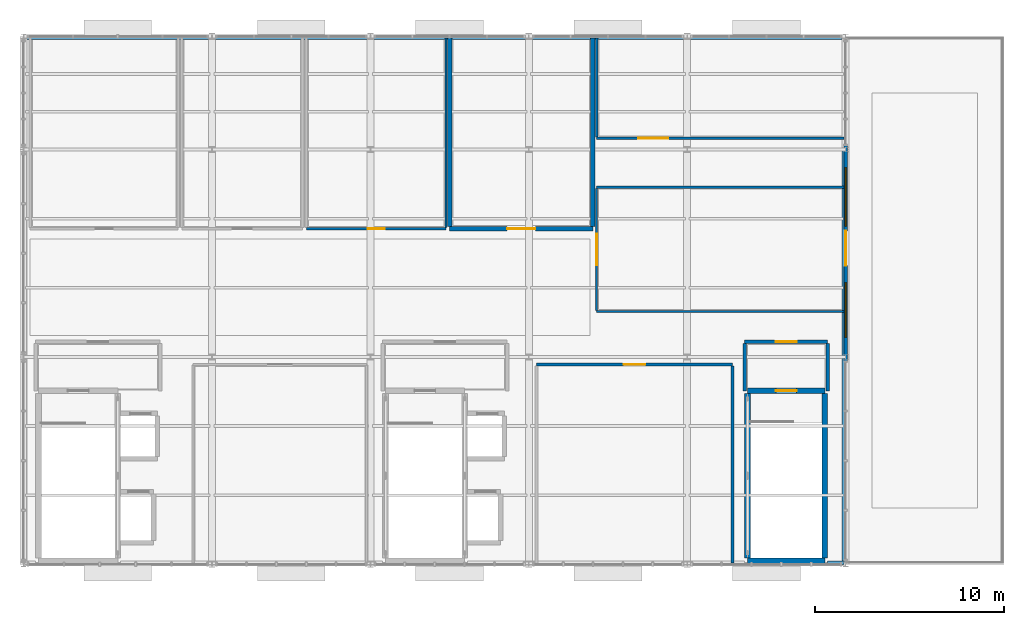
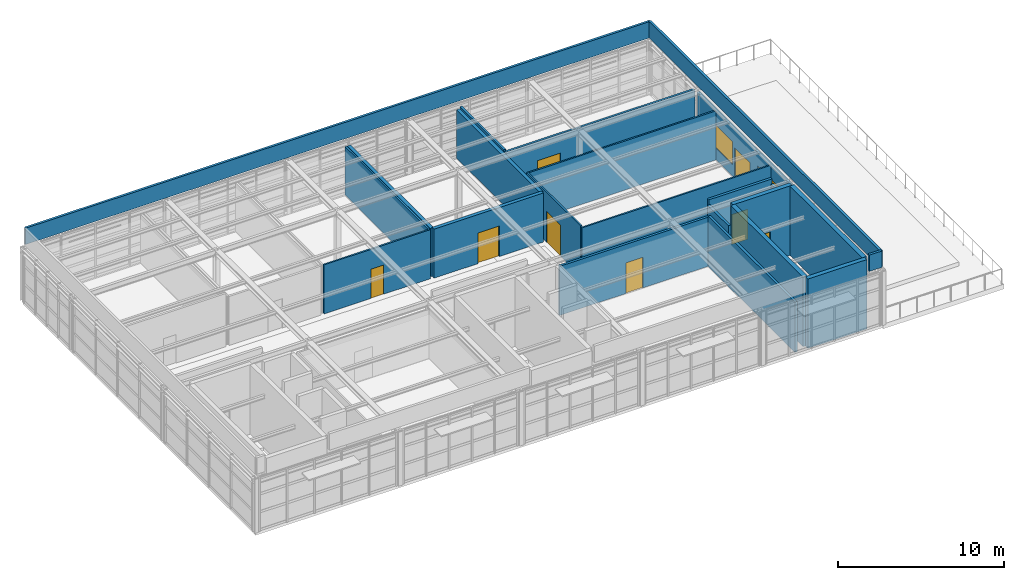
# One storey, part 17 of 18: 23 walls, 8 doors, 2 windows, 10 openings.
"""IFC4 building model written with IfcOpenShell, lengths in metres."""

from ifc_helpers import new_model, si_unit, direction, frame, frame_2d, origin, place, context, subcontext, project, spatial, rectangle, extrude, material, layer, layer_set, type_object, element, fill, save


model = new_model("IFC4")

# Units and contexts
model_context = context("Model", 3, precision=1e-05, world=origin(), true_north=direction((0.0, 1.0)))
body_context = subcontext(model_context, "Body", "Model", "MODEL_VIEW")
ifc_project = project(units=[si_unit("LENGTHUNIT", "METRE"), si_unit("AREAUNIT", "SQUARE_METRE"), si_unit("VOLUMEUNIT", "CUBIC_METRE"), si_unit("PLANEANGLEUNIT", "RADIAN"), si_unit("MASSUNIT", "GRAM", prefix="KILO")], contexts=[model_context])

# Site, building, storey
site_placement = place(None, origin())
site = spatial("IfcSite", under=ifc_project, at=site_placement, CompositionType="ELEMENT")
building_placement = place(site_placement, origin())
building = spatial("IfcBuilding", under=site, at=building_placement, Name="Sitalva Quay Ferry Terminal", CompositionType="ELEMENT")
storey_placement = place(building_placement, frame((0.0, 0.0, 18.60009765625)))
storey = spatial("IfcBuildingStorey", under=building, at=storey_placement, Name="L05", CompositionType="ELEMENT", Elevation=18.60009765625)

# Wall
ifc_material_1 = material(Name="Concrete C40/50", Category="concrete")
ifc_layer_1 = layer(ifc_material_1, 0.300048828125)
ifc_layer_set_1 = layer_set([ifc_layer_1], Name="Concrete C40/50")
wall_type_1 = type_object("IfcWallType", Name="Wall_CoreShear_300", PredefinedType="SHEAR", material=ifc_layer_set_1)
wall_1_placement = place(storey_placement, frame((112.39990234375, 78.199951171875, 0.0), z_axis=(0.0, 0.0, 1.0), x_axis=(1.0, 0.0, 0.0)))
element("IfcWall", 1, at=wall_1_placement, inside=storey, type_object=wall_type_1, Name="Core C4 L05 south shear wall", PredefinedType="SHEAR", context=body_context, shape_type="SweptSolid", body=[
    extrude(rectangle(XDim=4.10009765625, YDim=0.300048828125, at=frame_2d((2.050048828125, 0.0))), origin(), (0.0, 0.0, 1.0), 5.099853515625),
])

# Wall, opening, door
wall_2_placement = place(storey_placement, frame((112.39990234375, 87.199951171875, 0.0), z_axis=(0.0, 0.0, 1.0), x_axis=(1.0, 0.0, 0.0)))
wall_2 = element("IfcWall", 2, at=wall_2_placement, inside=storey, type_object=wall_type_1, Name="Core C4 L05 north shear wall", PredefinedType="SHEAR", context=body_context, shape_type="SweptSolid", body=[
    extrude(rectangle(XDim=4.10009765625, YDim=0.300048828125, at=frame_2d((2.050048828125, 0.0))), origin(), (0.0, 0.0, 1.0), 5.099853515625),
])
opening_1_placement = place(wall_2_placement, frame((1.5, 0.0, 0.0)))
opening_1 = element("IfcOpeningElement", 3, at=opening_1_placement, cuts=wall_2, Name="Opening D-L05-015", PredefinedType="OPENING", context=body_context, shape_type="SweptSolid", body=[
    extrude(rectangle(XDim=1.10009765625, YDim=2.199951171875, at=frame_2d((0.550048828125, 1.10009765625))), frame((0.0, 0.159912109375, 0.0), z_axis=(0.0, -1.0, 0.0), x_axis=(1.0, 0.0, 0.0)), (0.0, 0.0, 1.0), 0.320068359375),
])
ifc_material_2 = material(Name="Galvanised Steel Fire Door", Category="steel")
door_type_1 = type_object("IfcDoorType", Name="Door_CoreExit_1100x2200", OperationType="SINGLE_SWING_LEFT", PredefinedType="DOOR", material=ifc_material_2)
door_1_placement = place(opening_1_placement, origin())
door_1 = element("IfcDoor", 4, at=door_1_placement, inside=storey, type_object=door_type_1, Name="DOOR-D-L05-015 Protected stair ST-04 door D-L05-015", OperationType="SINGLE_SWING_LEFT", OverallHeight=2.199951171875, OverallWidth=1.10009765625, PredefinedType="DOOR", context=body_context, shape_type="SweptSolid", body=[
    extrude(rectangle(XDim=1.10009765625, YDim=2.199951171875, at=frame_2d((0.550048828125, 1.10009765625))), frame((0.0, 0.02490234375, 0.0), z_axis=(0.0, -1.0, 0.0), x_axis=(1.0, 0.0, 0.0)), (0.0, 0.0, 1.0), 0.050048828125),
])
fill(opening_1, door_1)

# Walls
for number, where, z_axis, x_axis, name in (
    (5, (112.39990234375, 78.35009765625, 0.0), (0.0, 0.0, 1.0), (0.0, 1.0, 0.0), "Core C4 L05 west shear wall"),
    (6, (116.5, 78.35009765625, 0.0), (0.0, 0.0, 1.0), (0.0, 1.0, 0.0), "Core C4 L05 east shear wall"),
):
    element("IfcWall", number, at=place(storey_placement, frame(where, z_axis=z_axis, x_axis=x_axis)), inside=storey, type_object=wall_type_1, Name=name, PredefinedType="SHEAR", context=body_context, shape_type="SweptSolid", body=[
        extrude(rectangle(XDim=8.699951171875, YDim=0.300048828125, at=frame_2d((4.35009765625, 0.0))), origin(), (0.0, 0.0, 1.0), 5.099853515625),
    ])

# Wall, openings, door, windows
ifc_material_3 = material(Name="Architectural Concrete C40/50", Category="concrete")
ifc_layer_2 = layer(ifc_material_3, 0.18994140625)
ifc_layer_set_2 = layer_set([ifc_layer_2], Name="Architectural Concrete C40/50")
wall_type_2 = type_object("IfcWallType", Name="Wall_ExtSpandrel_190", PredefinedType="SOLIDWALL", material=ifc_layer_set_2)
wall_3_placement = place(storey_placement, frame((117.60009765625, 88.760009765625, 0.0), z_axis=(0.0, 0.0, 1.0), x_axis=(0.0, 1.0, 0.0)))
wall_3 = element("IfcWall", 7, at=wall_3_placement, inside=storey, type_object=wall_type_2, Name="L05 lookout lounge east terrace portal EW-L05-189", PredefinedType="SOLIDWALL", context=body_context, shape_type="SweptSolid", body=[
    extrude(rectangle(XDim=11.47998046875, YDim=0.18994140625, at=frame_2d((5.739990234375, 0.0))), origin(), (0.0, 0.0, 1.0), 3.601806640625),
])
opening_2_placement = place(wall_3_placement, frame((5.080078125, 0.0, 0.0)))
opening_2 = element("IfcOpeningElement", 8, at=opening_2_placement, cuts=wall_3, Name="Opening ED-L05-043", PredefinedType="OPENING", context=body_context, shape_type="SweptSolid", body=[
    extrude(rectangle(XDim=1.85009765625, YDim=2.260009765625, at=frame_2d((0.925048828125, 1.1298828125))), frame((0.0, 0.10498046875, 0.0), z_axis=(0.0, -1.0, 0.0), x_axis=(1.0, 0.0, 0.0)), (0.0, 0.0, 1.0), 0.2099609375),
])
opening_3_placement = place(wall_3_placement, frame((1.280029296875, 0.0, 0.85009765625)))
opening_3 = element("IfcOpeningElement", 9, at=opening_3_placement, cuts=wall_3, Name="Opening WN-L05-075", PredefinedType="OPENING", context=body_context, shape_type="SweptSolid", body=[
    extrude(rectangle(XDim=2.89990234375, YDim=1.75, at=frame_2d((1.449951171875, 0.875))), frame((0.0, 0.10498046875, 0.0), z_axis=(0.0, -1.0, 0.0), x_axis=(1.0, 0.0, 0.0)), (0.0, 0.0, 1.0), 0.2099609375),
])
opening_4_placement = place(wall_3_placement, frame((7.179931640625, 0.0, 0.85009765625)))
opening_4 = element("IfcOpeningElement", 10, at=opening_4_placement, cuts=wall_3, Name="Opening WN-L05-076", PredefinedType="OPENING", context=body_context, shape_type="SweptSolid", body=[
    extrude(rectangle(XDim=3.10009765625, YDim=1.699951171875, at=frame_2d((1.550048828125, 0.85009765625))), frame((0.0, 0.10498046875, 0.0), z_axis=(0.0, -1.0, 0.0), x_axis=(1.0, 0.0, 0.0)), (0.0, 0.0, 1.0), 0.2099609375),
])
ifc_material_4 = material(Name="Anodised Aluminium & Low-E Glass", Category="aluminium")
door_type_2 = type_object("IfcDoorType", Name="Door_Lookout_1850x2260", OperationType="DOUBLE_DOOR_SINGLE_SWING", PredefinedType="DOOR", material=ifc_material_4)
door_2_placement = place(opening_2_placement, origin())
door_2 = element("IfcDoor", 11, at=door_2_placement, inside=storey, type_object=door_type_2, Name="EDOOR-ED-L05-043 L05 lookout terrace cafe lounge exterior door ED-L05-043", OperationType="DOUBLE_DOOR_SINGLE_SWING", OverallHeight=2.260009765625, OverallWidth=1.85009765625, PredefinedType="DOOR", context=body_context, shape_type="SweptSolid", body=[
    extrude(rectangle(XDim=1.85009765625, YDim=2.260009765625, at=frame_2d((0.925048828125, 1.1298828125))), frame((0.0, 0.02490234375, 0.0), z_axis=(0.0, -1.0, 0.0), x_axis=(1.0, 0.0, 0.0)), (0.0, 0.0, 1.0), 0.050048828125),
])
fill(opening_2, door_2)
ifc_material_5 = material(Name="Anti-Glare Marine Bridge Glazing", Category="glass")
window_type_1 = type_object("IfcWindowType", Name="Win_BridgeEast_2900x1750", PartitioningType="SINGLE_PANEL", PredefinedType="WINDOW", material=ifc_material_5)
window_1_placement = place(opening_3_placement, origin())
window_1 = element("IfcWindow", 12, at=window_1_placement, inside=storey, type_object=window_type_1, Name="L05 lookout cafe window S WN-L05-075", OverallHeight=1.75, OverallWidth=2.89990234375, PartitioningType="SINGLE_PANEL", PredefinedType="WINDOW", context=body_context, shape_type="SweptSolid", body=[
    extrude(rectangle(XDim=2.89990234375, YDim=1.75, at=frame_2d((1.449951171875, 0.875))), frame((0.0, 0.030029296875, 0.0), z_axis=(0.0, -1.0, 0.0), x_axis=(1.0, 0.0, 0.0)), (0.0, 0.0, 1.0), 0.06005859375),
])
fill(opening_3, window_1)
ifc_material_6 = material(Name="Anti-Glare Marine Bridge Glazing", Category="glass")
window_type_2 = type_object("IfcWindowType", Name="Win_Radar_3100x1700", PartitioningType="SINGLE_PANEL", PredefinedType="WINDOW", material=ifc_material_6)
window_2_placement = place(opening_4_placement, origin())
window_2 = element("IfcWindow", 13, at=window_2_placement, inside=storey, type_object=window_type_2, Name="L05 lookout cafe window N WN-L05-076", OverallHeight=1.699951171875, OverallWidth=3.10009765625, PartitioningType="SINGLE_PANEL", PredefinedType="WINDOW", context=body_context, shape_type="SweptSolid", body=[
    extrude(rectangle(XDim=3.10009765625, YDim=1.699951171875, at=frame_2d((1.550048828125, 0.85009765625))), frame((0.0, 0.030029296875, 0.0), z_axis=(0.0, -1.0, 0.0), x_axis=(1.0, 0.0, 0.0)), (0.0, 0.0, 1.0), 0.06005859375),
])
fill(opening_4, window_2)

# Wall, opening, door
ifc_material_7 = material(Name="Fire-Rated Blockwork C25/30", Category="masonry")
ifc_layer_3 = layer(ifc_material_7, 0.179931640625)
ifc_layer_set_3 = layer_set([ifc_layer_3], Name="Fire-Rated Blockwork C25/30")
wall_type_3 = type_object("IfcWallType", Name="Wall_FireLobby_180", PredefinedType="SOLIDWALL", material=ifc_layer_set_3)
wall_4_placement = place(storey_placement, frame((112.25, 89.800048828125, 0.0), z_axis=(0.0, 0.0, 1.0), x_axis=(1.0, 0.0, 0.0)))
wall_4 = element("IfcWall", 14, at=wall_4_placement, inside=storey, type_object=wall_type_3, Name="Firefighting & Lift Lobby C4 N wall IW-L05-0043", PredefinedType="SOLIDWALL", context=body_context, shape_type="SweptSolid", body=[
    extrude(rectangle(XDim=4.39990234375, YDim=0.179931640625, at=frame_2d((2.199951171875, 0.0))), origin(), (0.0, 0.0, 1.0), 3.89990234375),
])
opening_5_placement = place(wall_4_placement, frame((1.64990234375, 0.0, 0.0)))
opening_5 = element("IfcOpeningElement", 15, at=opening_5_placement, cuts=wall_4, Name="Opening ID-L05-015", PredefinedType="OPENING", context=body_context, shape_type="SweptSolid", body=[
    extrude(rectangle(XDim=1.10009765625, YDim=2.199951171875, at=frame_2d((0.550048828125, 1.10009765625))), frame((0.0, 0.099853515625, 0.0), z_axis=(0.0, -1.0, 0.0), x_axis=(1.0, 0.0, 0.0)), (0.0, 0.0, 1.0), 0.199951171875),
])
ifc_material_8 = material(Name="Steel Fire Door", Category="steel")
door_type_3 = type_object("IfcDoorType", Name="Door_FireLobby_1100x2200", OperationType="SINGLE_SWING_LEFT", PredefinedType="DOOR", material=ifc_material_8)
door_3_placement = place(opening_5_placement, origin())
door_3 = element("IfcDoor", 16, at=door_3_placement, inside=storey, type_object=door_type_3, Name="IDOOR-ID-L05-015 Firefighting & Lift Lobby C4 entrance ID-L05-015", OperationType="SINGLE_SWING_LEFT", OverallHeight=2.199951171875, OverallWidth=1.10009765625, PredefinedType="DOOR", context=body_context, shape_type="SweptSolid", body=[
    extrude(rectangle(XDim=1.10009765625, YDim=2.199951171875, at=frame_2d((0.550048828125, 1.10009765625))), frame((0.0, 0.02490234375, 0.0), z_axis=(0.0, -1.0, 0.0), x_axis=(1.0, 0.0, 0.0)), (0.0, 0.0, 1.0), 0.050048828125),
])
fill(opening_5, door_3)

# Walls
for number, where, z_axis, x_axis, name in (
    (17, (112.25, 87.199951171875, 0.0), (0.0, 0.0, 1.0), (0.0, 1.0, 0.0), "Firefighting & Lift Lobby C4 W wall IW-L05-0044"),
    (18, (116.64990234375, 87.199951171875, 0.0), (0.0, 0.0, 1.0), (0.0, 1.0, 0.0), "Firefighting & Lift Lobby C4 E wall IW-L05-0045"),
):
    element("IfcWall", number, at=place(storey_placement, frame(where, z_axis=z_axis, x_axis=x_axis)), inside=storey, type_object=wall_type_3, Name=name, PredefinedType="SOLIDWALL", context=body_context, shape_type="SweptSolid", body=[
        extrude(rectangle(XDim=2.510009765625, YDim=0.179931640625, at=frame_2d((1.2548828125, 0.0))), origin(), (0.0, 0.0, 1.0), 3.5498046875),
    ])
ifc_material_9 = material(Name="Double-Glazed Acoustic Partition", Category="glass")
ifc_layer_4 = layer(ifc_material_9, 0.110107421875)
ifc_layer_set_4 = layer_set([ifc_layer_4], Name="Double-Glazed Acoustic Partition")
wall_type_4 = type_object("IfcWallType", Name="Wall_GlazedScreen_110", PredefinedType="MOVABLE", material=ifc_layer_set_4)
for number, where, z_axis, x_axis, name in (
    (19, (104.39990234375, 91.39990234375, 0.0), (0.0, 0.0, 1.0), (1.0, 0.0, 0.0), "Lookout Terrace Cafe Lounge S wall IW-L05-0334"),
    (20, (104.39990234375, 98.0, 0.0), (0.0, 0.0, 1.0), (1.0, 0.0, 0.0), "Lookout Terrace Cafe Lounge N wall IW-L05-0335"),
):
    element("IfcWall", number, at=place(storey_placement, frame(where, z_axis=z_axis, x_axis=x_axis)), inside=storey, type_object=wall_type_4, Name=name, PredefinedType="MOVABLE", context=body_context, shape_type="SweptSolid", body=[
        extrude(rectangle(XDim=13.1201171875, YDim=0.110107421875, at=frame_2d((6.56005859375, 0.0))), origin(), (0.0, 0.0, 1.0), 3.60400390625),
    ])

# Wall, opening, door
wall_5_placement = place(storey_placement, frame((104.39990234375, 91.455078125, 0.0), z_axis=(0.0, 0.0, 1.0), x_axis=(0.0, 1.0, 0.0)))
wall_5 = element("IfcWall", 21, at=wall_5_placement, inside=storey, type_object=wall_type_4, Name="Lookout Terrace Cafe Lounge W wall IW-L05-0336", PredefinedType="MOVABLE", context=body_context, shape_type="SweptSolid", body=[
    extrude(rectangle(XDim=6.489990234375, YDim=0.110107421875, at=frame_2d((3.2451171875, 0.0))), origin(), (0.0, 0.0, 1.0), 3.697998046875),
])
opening_6_placement = place(wall_5_placement, frame((2.405029296875, 0.0, 0.0)))
opening_6 = element("IfcOpeningElement", 22, at=opening_6_placement, cuts=wall_5, Name="Opening ID-L05-117", PredefinedType="OPENING", context=body_context, shape_type="SweptSolid", body=[
    extrude(rectangle(XDim=1.679931640625, YDim=2.300048828125, at=frame_2d((0.83984375, 1.14990234375))), frame((0.0, 0.06494140625, 0.0), z_axis=(0.0, -1.0, 0.0), x_axis=(1.0, 0.0, 0.0)), (0.0, 0.0, 1.0), 0.130126953125),
])
ifc_material_10 = material(Name="Bronze-Framed Glazed Lounge Door", Category="aluminium")
door_type_4 = type_object("IfcDoorType", Name="Door_CafeInt_1680x2300", OperationType="DOUBLE_DOOR_SINGLE_SWING", PredefinedType="DOOR", material=ifc_material_10)
door_4_placement = place(opening_6_placement, origin())
door_4 = element("IfcDoor", 23, at=door_4_placement, inside=storey, type_object=door_type_4, Name="IDOOR-ID-L05-117 Lookout Terrace Cafe Lounge entrance ID-L05-117", OperationType="DOUBLE_DOOR_SINGLE_SWING", OverallHeight=2.300048828125, OverallWidth=1.679931640625, PredefinedType="DOOR", context=body_context, shape_type="SweptSolid", body=[
    extrude(rectangle(XDim=1.679931640625, YDim=2.300048828125, at=frame_2d((0.83984375, 1.14990234375))), frame((0.0, 0.02490234375, 0.0), z_axis=(0.0, -1.0, 0.0), x_axis=(1.0, 0.0, 0.0)), (0.0, 0.0, 1.0), 0.050048828125),
])
fill(opening_6, door_4)

# Walls
ifc_material_11 = material(Name="Concrete C35/45", Category="concrete")
ifc_layer_5 = layer(ifc_material_11, 0.159912109375)
ifc_layer_set_5 = layer_set([ifc_layer_5], Name="Concrete C35/45")
wall_type_5 = type_object("IfcWallType", Name="Wall_Parapet_160", PredefinedType="PARAPET", material=ifc_layer_set_5)
wall_6_placement = place(storey_placement, frame((117.510009765625, 105.909912109375, 4.199951171875), z_axis=(0.0, 0.0, 1.0), x_axis=(-1.0, 0.0, 0.0)))
element("IfcWall", 24, at=wall_6_placement, inside=storey, type_object=wall_type_5, Name="RF north parapet EW-L05-195", PredefinedType="PARAPET", context=body_context, shape_type="SweptSolid", body=[
    extrude(rectangle(XDim=43.419921875, YDim=0.159912109375, at=frame_2d((21.7099609375, 0.0))), origin(), (0.0, 0.0, 1.0), 1.199951171875),
])
ifc_material_12 = material(Name="Concrete C35/45", Category="concrete")
ifc_layer_6 = layer(ifc_material_12, 0.179931640625)
ifc_layer_set_6 = layer_set([ifc_layer_6], Name="Concrete C35/45")
wall_type_6 = type_object("IfcWallType", Name="Wall_Parapet_180", PredefinedType="PARAPET", material=ifc_layer_set_6)
wall_7_placement = place(storey_placement, frame((116.64990234375, 78.090087890625, 4.199951171875), z_axis=(0.0, 0.0, 1.0), x_axis=(1.0, 0.0, 0.0)))
element("IfcWall", 25, at=wall_7_placement, inside=storey, type_object=wall_type_6, Name="RF south parapet EW-L05-193", PredefinedType="PARAPET", context=body_context, shape_type="SweptSolid", body=[
    extrude(rectangle(XDim=0.860107421875, YDim=0.179931640625, at=frame_2d((0.43017578125, 0.0))), origin(), (0.0, 0.0, 1.0), 1.199951171875),
])
wall_8_placement = place(storey_placement, frame((117.510009765625, 78.090087890625, 4.199951171875), z_axis=(0.0, 0.0, 1.0), x_axis=(0.0, 1.0, 0.0)))
element("IfcWall", 26, at=wall_8_placement, inside=storey, type_object=wall_type_6, Name="RF east parapet EW-L05-194", PredefinedType="PARAPET", context=body_context, shape_type="SweptSolid", body=[
    extrude(rectangle(XDim=27.81982421875, YDim=0.179931640625, at=frame_2d((13.909912109375, 0.0))), origin(), (0.0, 0.0, 1.0), 1.199951171875),
])

# Wall, opening, door
ifc_material_13 = material(Name="Lightweight Steel-Stud Gypsum Partition", Category="steel")
ifc_layer_7 = layer(ifc_material_13, 0.114990234375)
ifc_layer_set_7 = layer_set([ifc_layer_7], Name="Lightweight Steel-Stud Gypsum Partition")
wall_type_7 = type_object("IfcWallType", Name="Wall_Partition_115", PredefinedType="PARTITIONING", material=ifc_layer_set_7)
wall_9_placement = place(storey_placement, frame((89.0, 95.800048828125, 0.0), z_axis=(0.0, 0.0, 1.0), x_axis=(1.0, 0.0, 0.0)))
wall_9 = element("IfcWall", 27, at=wall_9_placement, inside=storey, type_object=wall_type_7, Name="Bridge Galley & Chart Store S wall IW-L05-0343", PredefinedType="PARTITIONING", context=body_context, shape_type="SweptSolid", body=[
    extrude(rectangle(XDim=7.39990234375, YDim=0.114990234375, at=frame_2d((3.699951171875, 0.0))), origin(), (0.0, 0.0, 1.0), 3.60400390625),
])
opening_7_placement = place(wall_9_placement, frame((3.25, 0.0, 0.0)))
opening_7 = element("IfcOpeningElement", 28, at=opening_7_placement, cuts=wall_9, Name="Opening ID-L05-120", PredefinedType="OPENING", context=body_context, shape_type="SweptSolid", body=[
    extrude(rectangle(XDim=0.89990234375, YDim=2.14990234375, at=frame_2d((0.449951171875, 1.074951171875))), frame((0.0, 0.0673828125, 0.0), z_axis=(0.0, -1.0, 0.0), x_axis=(1.0, 0.0, 0.0)), (0.0, 0.0, 1.0), 0.135009765625),
])
ifc_material_14 = material(Name="Painted Timber Fire Door", Category="wood")
door_type_5 = type_object("IfcDoorType", Name="Door_Store_900x2150", OperationType="SINGLE_SWING_RIGHT", PredefinedType="DOOR", material=ifc_material_14)
door_5_placement = place(opening_7_placement, origin())
door_5 = element("IfcDoor", 29, at=door_5_placement, inside=storey, type_object=door_type_5, Name="IDOOR-ID-L05-120 Bridge Galley & Chart Store entrance ID-L05-120", OperationType="SINGLE_SWING_RIGHT", OverallHeight=2.14990234375, OverallWidth=0.89990234375, PredefinedType="DOOR", context=body_context, shape_type="SweptSolid", body=[
    extrude(rectangle(XDim=0.89990234375, YDim=2.14990234375, at=frame_2d((0.449951171875, 1.074951171875))), frame((0.0, 0.02490234375, 0.0), z_axis=(0.0, -1.0, 0.0), x_axis=(1.0, 0.0, 0.0)), (0.0, 0.0, 1.0), 0.050048828125),
])
fill(opening_7, door_5)

# Wall
wall_10_placement = place(storey_placement, frame((96.39990234375, 95.857421875, 0.0), z_axis=(0.0, 0.0, 1.0), x_axis=(0.0, 1.0, 0.0)))
element("IfcWall", 30, at=wall_10_placement, inside=storey, type_object=wall_type_7, Name="Bridge Galley & Chart Store E wall IW-L05-0345", PredefinedType="PARTITIONING", context=body_context, shape_type="SweptSolid", body=[
    extrude(rectangle(XDim=10.0625, YDim=0.114990234375, at=frame_2d((5.03125, 0.0))), origin(), (0.0, 0.0, 1.0), 3.5498046875),
])

# Wall, opening, door
ifc_material_15 = material(Name="Acoustic Twin-Stud Gypsum Partition", Category="gypsum")
ifc_layer_8 = layer(ifc_material_15, 0.14990234375)
ifc_layer_set_8 = layer_set([ifc_layer_8], Name="Acoustic Twin-Stud Gypsum Partition")
wall_type_8 = type_object("IfcWallType", Name="Wall_Partition_150", PredefinedType="PARTITIONING", material=ifc_layer_set_8)
wall_11_placement = place(storey_placement, frame((104.39990234375, 100.60009765625, 0.0), z_axis=(0.0, 0.0, 1.0), x_axis=(1.0, 0.0, 0.0)))
wall_11 = element("IfcWall", 31, at=wall_11_placement, inside=storey, type_object=wall_type_8, Name="North Harbour Observation Deck Room S wall IW-L05-0349", PredefinedType="PARTITIONING", context=body_context, shape_type="SweptSolid", body=[
    extrude(rectangle(XDim=13.1201171875, YDim=0.14990234375, at=frame_2d((6.56005859375, 0.0))), origin(), (0.0, 0.0, 1.0), 3.60400390625),
])
opening_8_placement = place(wall_11_placement, frame((2.199951171875, 0.0, 0.0)))
opening_8 = element("IfcOpeningElement", 32, at=opening_8_placement, cuts=wall_11, Name="Opening ID-L05-122", PredefinedType="OPENING", context=body_context, shape_type="SweptSolid", body=[
    extrude(rectangle(XDim=1.60009765625, YDim=2.199951171875, at=frame_2d((0.800048828125, 1.10009765625))), frame((0.0, 0.0849609375, 0.0), z_axis=(0.0, -1.0, 0.0), x_axis=(1.0, 0.0, 0.0)), (0.0, 0.0, 1.0), 0.169921875),
])
ifc_material_16 = material(Name="Glazed Timber Acoustic Door", Category="wood")
door_type_6 = type_object("IfcDoorType", Name="Door_Meeting_1600x2200", OperationType="DOUBLE_DOOR_SINGLE_SWING", PredefinedType="DOOR", material=ifc_material_16)
door_6_placement = place(opening_8_placement, origin())
door_6 = element("IfcDoor", 33, at=door_6_placement, inside=storey, type_object=door_type_6, Name="IDOOR-ID-L05-122 North Harbour Observation Deck Room entrance ID-L05-122", OperationType="DOUBLE_DOOR_SINGLE_SWING", OverallHeight=2.199951171875, OverallWidth=1.60009765625, PredefinedType="DOOR", context=body_context, shape_type="SweptSolid", body=[
    extrude(rectangle(XDim=1.60009765625, YDim=2.199951171875, at=frame_2d((0.800048828125, 1.10009765625))), frame((0.0, 0.02490234375, 0.0), z_axis=(0.0, -1.0, 0.0), x_axis=(1.0, 0.0, 0.0)), (0.0, 0.0, 1.0), 0.050048828125),
])
fill(opening_8, door_6)

# Wall
wall_12_placement = place(storey_placement, frame((104.39990234375, 100.675048828125, 0.0), z_axis=(0.0, 0.0, 1.0), x_axis=(0.0, 1.0, 0.0)))
element("IfcWall", 34, at=wall_12_placement, inside=storey, type_object=wall_type_8, Name="North Harbour Observation Deck Room W wall IW-L05-0350", PredefinedType="PARTITIONING", context=body_context, shape_type="SweptSolid", body=[
    extrude(rectangle(XDim=5.244873046875, YDim=0.14990234375, at=frame_2d((2.62255859375, 0.0))), origin(), (0.0, 0.0, 1.0), 3.697998046875),
])

# Wall, opening, door
ifc_material_17 = material(Name="High-Acoustic Twin-Stud Partition", Category="gypsum")
ifc_layer_9 = layer(ifc_material_17, 0.1650390625)
ifc_layer_set_9 = layer_set([ifc_layer_9], Name="High-Acoustic Twin-Stud Partition")
wall_type_9 = type_object("IfcWallType", Name="Wall_Partition_165", PredefinedType="PARTITIONING", material=ifc_layer_set_9)
wall_13_placement = place(storey_placement, frame((101.199951171875, 88.60009765625, 0.0), z_axis=(0.0, 0.0, 1.0), x_axis=(1.0, 0.0, 0.0)))
wall_13 = element("IfcWall", 35, at=wall_13_placement, inside=storey, type_object=wall_type_9, Name="Harbour Master Suite & Incident Command N wall IW-L05-0331", PredefinedType="PARTITIONING", context=body_context, shape_type="SweptSolid", body=[
    extrude(rectangle(XDim=10.400146484375, YDim=0.1650390625, at=frame_2d((5.2001953125, 0.0))), origin(), (0.0, 0.0, 1.0), 3.60400390625),
])
opening_9_placement = place(wall_13_placement, frame((4.625, 0.0, 0.0)))
opening_9 = element("IfcOpeningElement", 36, at=opening_9_placement, cuts=wall_13, Name="Opening ID-L05-116", PredefinedType="OPENING", context=body_context, shape_type="SweptSolid", body=[
    extrude(rectangle(XDim=1.14990234375, YDim=2.25, at=frame_2d((0.574951171875, 1.125))), frame((0.0, 0.092529296875, 0.0), z_axis=(0.0, -1.0, 0.0), x_axis=(1.0, 0.0, 0.0)), (0.0, 0.0, 1.0), 0.18505859375),
])
ifc_material_18 = material(Name="Teak Veneer Acoustic Suite Door", Category="wood")
door_type_7 = type_object("IfcDoorType", Name="Door_HarbourMaster_1150x2250", OperationType="SINGLE_SWING_RIGHT", PredefinedType="DOOR", material=ifc_material_18)
door_7_placement = place(opening_9_placement, origin())
door_7 = element("IfcDoor", 37, at=door_7_placement, inside=storey, type_object=door_type_7, Name="IDOOR-ID-L05-116 Harbour Master Suite & Incident Command entrance ID-L05-116", OperationType="SINGLE_SWING_RIGHT", OverallHeight=2.25, OverallWidth=1.14990234375, PredefinedType="DOOR", context=body_context, shape_type="SweptSolid", body=[
    extrude(rectangle(XDim=1.14990234375, YDim=2.25, at=frame_2d((0.574951171875, 1.125))), frame((0.0, 0.02490234375, 0.0), z_axis=(0.0, -1.0, 0.0), x_axis=(1.0, 0.0, 0.0)), (0.0, 0.0, 1.0), 0.050048828125),
])
fill(opening_9, door_7)

# Wall
wall_14_placement = place(storey_placement, frame((111.60009765625, 78.080078125, 0.0), z_axis=(0.0, 0.0, 1.0), x_axis=(0.0, 1.0, 0.0)))
element("IfcWall", 38, at=wall_14_placement, inside=storey, type_object=wall_type_9, Name="Harbour Master Suite & Incident Command E wall IW-L05-0333", PredefinedType="PARTITIONING", context=body_context, shape_type="SweptSolid", body=[
    extrude(rectangle(XDim=10.4375, YDim=0.1650390625, at=frame_2d((5.21875, 0.0))), origin(), (0.0, 0.0, 1.0), 3.697998046875),
])

# Wall, opening, door
ifc_material_19 = material(Name="High-Density Concrete C35/45", Category="concrete")
ifc_layer_10 = layer(ifc_material_19, 0.239990234375)
ifc_layer_set_10 = layer_set([ifc_layer_10], Name="High-Density Concrete C35/45")
wall_type_10 = type_object("IfcWallType", Name="Wall_PlantAcoustic_240", PredefinedType="SOLIDWALL", material=ifc_layer_set_10)
wall_15_placement = place(storey_placement, frame((96.60009765625, 95.800048828125, 0.0), z_axis=(0.0, 0.0, 1.0), x_axis=(1.0, 0.0, 0.0)))
wall_15 = element("IfcWall", 39, at=wall_15_placement, inside=storey, type_object=wall_type_10, Name="Bridge BMS, PA & Emergency Radio Plant S wall IW-L05-0346", PredefinedType="SOLIDWALL", context=body_context, shape_type="SweptSolid", body=[
    extrude(rectangle(XDim=7.599853515625, YDim=0.239990234375, at=frame_2d((3.7998046875, 0.0))), origin(), (0.0, 0.0, 1.0), 3.60400390625),
])
opening_10_placement = place(wall_15_placement, frame((3.050048828125, 0.0, 0.0)))
opening_10 = element("IfcOpeningElement", 40, at=opening_10_placement, cuts=wall_15, Name="Opening ID-L05-121", PredefinedType="OPENING", context=body_context, shape_type="SweptSolid", body=[
    extrude(rectangle(XDim=1.5, YDim=2.25, at=frame_2d((0.75, 1.125))), frame((0.0, 0.1298828125, 0.0), z_axis=(0.0, -1.0, 0.0), x_axis=(1.0, 0.0, 0.0)), (0.0, 0.0, 1.0), 0.260009765625),
])
ifc_material_20 = material(Name="Acoustic Steel Plant Door", Category="steel")
door_type_8 = type_object("IfcDoorType", Name="Door_PlantInt_1500x2250", OperationType="DOUBLE_DOOR_SINGLE_SWING", PredefinedType="DOOR", material=ifc_material_20)
door_8_placement = place(opening_10_placement, origin())
door_8 = element("IfcDoor", 41, at=door_8_placement, inside=storey, type_object=door_type_8, Name="IDOOR-ID-L05-121 Bridge BMS, PA & Emergency Radio Plant entrance ID-L05-121", OperationType="DOUBLE_DOOR_SINGLE_SWING", OverallHeight=2.25, OverallWidth=1.5, PredefinedType="DOOR", context=body_context, shape_type="SweptSolid", body=[
    extrude(rectangle(XDim=1.5, YDim=2.25, at=frame_2d((0.75, 1.125))), frame((0.0, 0.02490234375, 0.0), z_axis=(0.0, -1.0, 0.0), x_axis=(1.0, 0.0, 0.0)), (0.0, 0.0, 1.0), 0.050048828125),
])
fill(opening_10, door_8)

# Walls
for number, where, z_axis, x_axis, name in (
    (42, (96.60009765625, 95.919921875, 0.0), (0.0, 0.0, 1.0), (0.0, 1.0, 0.0), "Bridge BMS, PA & Emergency Radio Plant W wall IW-L05-0347"),
    (43, (104.199951171875, 95.919921875, 0.0), (0.0, 0.0, 1.0), (0.0, 1.0, 0.0), "Bridge BMS, PA & Emergency Radio Plant E wall IW-L05-0348"),
):
    element("IfcWall", number, at=place(storey_placement, frame(where, z_axis=z_axis, x_axis=x_axis)), inside=storey, type_object=wall_type_10, Name=name, PredefinedType="SOLIDWALL", context=body_context, shape_type="SweptSolid", body=[
        extrude(rectangle(XDim=10.0, YDim=0.239990234375, at=frame_2d((5.0, 0.0))), origin(), (0.0, 0.0, 1.0), 3.5498046875),
    ])

save(model, "model.ifc")
